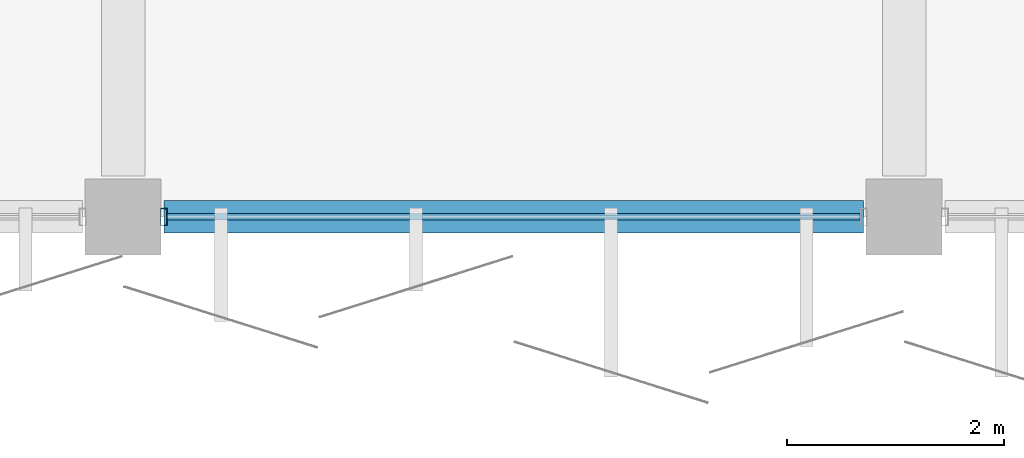
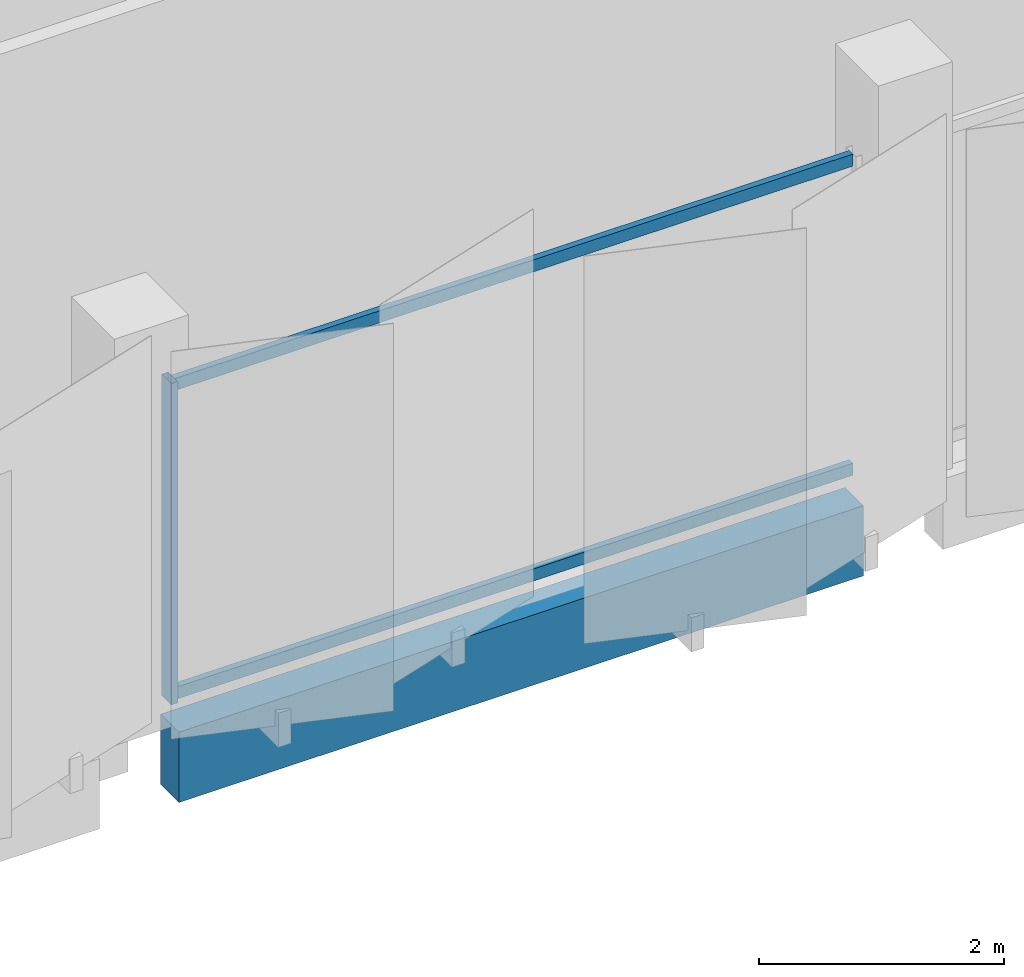
# One storey, part 45 of 107: 3 members, 1 beam, 1 element without a shape of its own.
"""IFC4 building model written with IfcOpenShell, lengths in metres."""

from ifc_helpers import new_model, si_unit, direction, frame, origin, origin_2d, place, context, subcontext, project, spatial, rectangle, hollow_rectangle, extrude, material, layer, layer_set, material_profile, profile_set, type_object, element, aggregate, save


model = new_model("IFC4")

# Units and contexts
model_context = context("Model", 3, precision=1e-05, world=origin(), true_north=direction((0.0, 1.0)))
body_context = subcontext(model_context, "Body", "Model", "MODEL_VIEW")
ifc_project = project(units=[si_unit("LENGTHUNIT", "METRE"), si_unit("AREAUNIT", "SQUARE_METRE"), si_unit("VOLUMEUNIT", "CUBIC_METRE"), si_unit("PLANEANGLEUNIT", "RADIAN"), si_unit("MASSUNIT", "GRAM", prefix="KILO")], contexts=[model_context])

# Site, building, storey
site_placement = place(None, origin())
site = spatial("IfcSite", under=ifc_project, at=site_placement, CompositionType="ELEMENT")
building_placement = place(site_placement, origin())
building = spatial("IfcBuilding", under=site, at=building_placement, Name="Kangsadwip Square Police Headquarters", CompositionType="ELEMENT")
storey_placement = place(building_placement, frame((0.0, 0.0, 5.39990234375)))
storey = spatial("IfcBuildingStorey", under=building, at=storey_placement, Name="L01", CompositionType="ELEMENT", Elevation=5.39990234375)

# Curtain wall, members
ifc_material_1 = material(Name="Thermally broken anodised aluminium AW-6063-T6", Category="aluminium")
ifc_layer = layer(ifc_material_1, 0.159912109375)
ifc_layer_set = layer_set([ifc_layer], Name="Thermally broken anodised aluminium AW-6063-T6")
curtain_wall_type = type_object("IfcCurtainWallType", Name="CourtScreen6510x3200", PredefinedType="USERDEFINED", material=ifc_layer_set)
curtain_wall_placement = place(storey_placement, origin())
curtain_wall = element("IfcCurtainWall", 1, at=curtain_wall_placement, inside=storey, type_object=curtain_wall_type, Name="Curtain Wall CW-L01-1227-0936", ObjectType="GLAZED_SCREEN", PredefinedType="USERDEFINED")
ifc_material_2 = material(Name="Thermally broken anodised aluminium AW-6063-T6", Category="aluminium")
ifc_material_profile_1 = material_profile(ifc_material_2, hollow_rectangle(XDim=0.06005859375, YDim=0.159912109375, WallThickness=0.00390625, at=origin_2d()), Name="CWM 160X60X4")
ifc_profile_set_1 = profile_set([ifc_material_profile_1], Name="Thermally broken anodised aluminium AW-6063-T6")
member_type_1 = type_object("IfcMemberType", Name="CwMullion135x60", PredefinedType="MULLION", material=ifc_profile_set_1)
member_1_placement = place(storey_placement, frame((122.77490234375, 93.60009765625, 0.0), z_axis=(0.0, 0.0, 1.0), x_axis=(1.0, 0.0, 0.0)))
member_1 = element("IfcMember", 2, at=member_1_placement, type_object=member_type_1, Name="CW-19 mullion 1", PredefinedType="MULLION", context=body_context, shape_type="SweptSolid", body=[
    extrude(hollow_rectangle(XDim=0.06005859375, YDim=0.159912109375, WallThickness=0.00390625, at=origin_2d()), origin(), (0.0, 0.0, 1.0), 3.2001953125),
])
ifc_material_3 = material(Name="Thermally broken anodised aluminium AW-6063-T6", Category="aluminium")
ifc_material_profile_2 = material_profile(ifc_material_3, hollow_rectangle(XDim=0.06005859375, YDim=0.1201171875, WallThickness=0.00390625, at=origin_2d()), Name="CWT 120X60X4")
ifc_profile_set_2 = profile_set([ifc_material_profile_2], Name="Thermally broken anodised aluminium AW-6063-T6")
member_type_2 = type_object("IfcMemberType", Name="CwTransom120x55", PredefinedType="USERDEFINED", material=ifc_profile_set_2)
member_2_placement = place(storey_placement, frame((122.804931640625, 93.60009765625, 0.06005859375), z_axis=(1.0, 0.0, 0.0), x_axis=(0.0, 1.0, 0.0)))
member_2 = element("IfcMember", 3, at=member_2_placement, type_object=member_type_2, Name="CW-19 transom 1.1", ObjectType="TRANSOM", PredefinedType="USERDEFINED", context=body_context, shape_type="SweptSolid", body=[
    extrude(hollow_rectangle(XDim=0.06005859375, YDim=0.1201171875, WallThickness=0.00390625, at=origin_2d()), origin(), (0.0, 0.0, 1.0), 6.39013671875),
])
member_3_placement = place(storey_placement, frame((122.804931640625, 93.60009765625, 3.14013671875), z_axis=(1.0, 0.0, 0.0), x_axis=(0.0, 1.0, 0.0)))
member_3 = element("IfcMember", 4, at=member_3_placement, type_object=member_type_2, Name="CW-19 transom 1.2", ObjectType="TRANSOM", PredefinedType="USERDEFINED", context=body_context, shape_type="SweptSolid", body=[
    extrude(hollow_rectangle(XDim=0.06005859375, YDim=0.1201171875, WallThickness=0.00390625, at=origin_2d()), origin(), (0.0, 0.0, 1.0), 6.39013671875),
])
aggregate(curtain_wall, [member_1, member_2, member_3])

# Beam
ifc_material_4 = material(Name="Concrete M40 (40 MPa)", Category="concrete")
ifc_material_profile_3 = material_profile(ifc_material_4, rectangle(XDim=0.300048828125, YDim=0.699951171875, at=origin_2d()), Name="RC SPN 700X300")
ifc_profile_set_3 = profile_set([ifc_material_profile_3], Name="Concrete M40 (40 MPa)")
beam_type = type_object("IfcBeamType", Name="RcSpandrel700x300", PredefinedType="SPANDREL", material=ifc_profile_set_3)
beam_placement = place(storey_placement, frame((122.77490234375, 93.60009765625, -0.58984375), z_axis=(1.0, 0.0, 0.0), x_axis=(0.0, 1.0, 0.0)))
element("IfcBeam", 5, at=beam_placement, inside=storey, type_object=beam_type, Name="Beam BM-L01-X-17-13", PredefinedType="SPANDREL", context=body_context, shape_type="SweptSolid", body=[
    extrude(rectangle(XDim=0.300048828125, YDim=0.699951171875, at=origin_2d()), origin(), (0.0, 0.0, 1.0), 6.4501953125),
])

save(model, "model.ifc")
